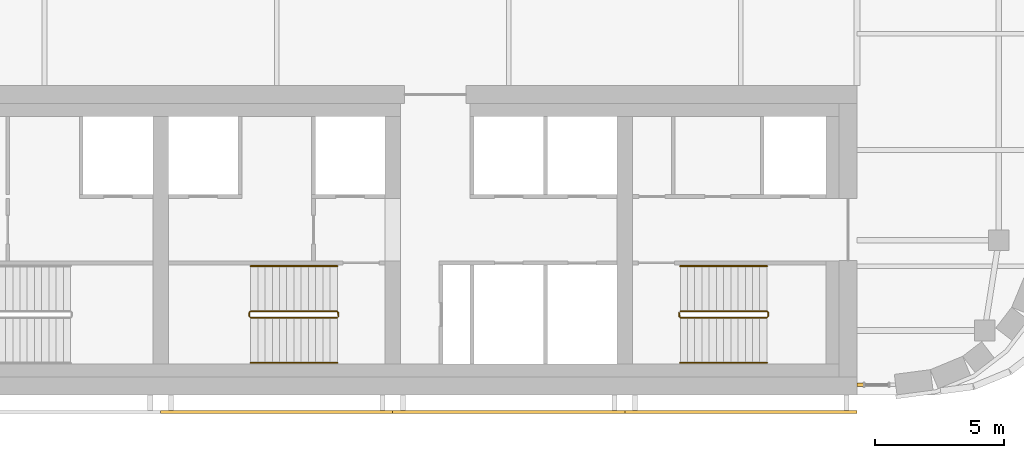
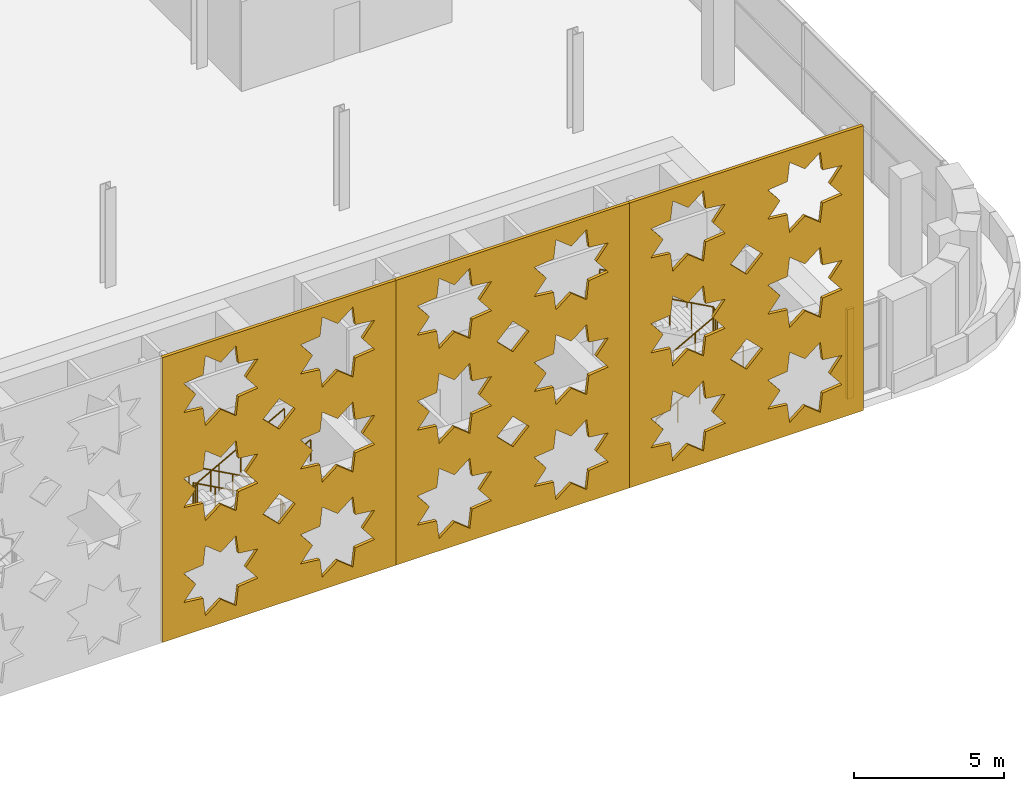
# One storey, part 21 of 25: 6 railings, 4 coverings.
"""IFC4 building model written with IfcOpenShell, lengths in metres."""

from ifc_helpers import new_model, si_unit, direction, frame, origin, origin_2d, place, context, subcontext, project, spatial, polyline, rectangle, circle, outline, extrude, material, layer, layer_set, type_object, element, save


model = new_model("IFC4")

# Units and contexts
model_context = context("Model", 3, precision=1e-05, world=origin(), true_north=direction((0.0, 1.0)))
body_context = subcontext(model_context, "Body", "Model", "MODEL_VIEW")
ifc_project = project(units=[si_unit("LENGTHUNIT", "METRE"), si_unit("AREAUNIT", "SQUARE_METRE"), si_unit("VOLUMEUNIT", "CUBIC_METRE"), si_unit("PLANEANGLEUNIT", "RADIAN"), si_unit("MASSUNIT", "GRAM", prefix="KILO")], contexts=[model_context])

# Site, building, storey
site_placement = place(None, origin())
site = spatial("IfcSite", under=ifc_project, at=site_placement, CompositionType="ELEMENT")
building_placement = place(site_placement, origin())
building = spatial("IfcBuilding", under=site, at=building_placement, Name="Zellij Exchange Tower", CompositionType="ELEMENT")
storey_placement = place(building_placement, frame((0.0, 0.0, 264.5)))
storey = spatial("IfcBuildingStorey", under=building, at=storey_placement, Name="L62", CompositionType="ELEMENT", Elevation=264.5)

# Railings
ifc_material_1 = material(Name="Stainless steel", Category="steel")
railing_type_1 = type_object("IfcRailingType", Name="CORE-RG stair guard", PredefinedType="GUARDRAIL", material=ifc_material_1)
railing_1_placement = place(storey_placement, frame((6.89990234375, -10.800048828125, 0.0)))
element("IfcRailing", 1, at=railing_1_placement, inside=storey, type_object=railing_type_1, Name="ST3 stair guard L62", PredefinedType="GUARDRAIL", context=body_context, shape_type="SweptSolid", body=[
    extrude(circle(Radius=0.02392578125, at=origin_2d()), frame((0.0, 0.0, 1.076171875), z_axis=(0.0, -1.0, 0.0), x_axis=(1.0, 0.0, 0.0)), (0.0, 0.0, 1.0), 0.14990234375),
    extrude(circle(Radius=0.02392578125, at=origin_2d()), frame((0.0, -0.14990234375, 1.076171875), z_axis=(-0.193691321961, 0.777613689637, 0.598164376644), x_axis=(-0.970351222016, -0.241699205484, 0.0)), (0.0, 0.0, 1.0), 0.257080078125),
    extrude(circle(Radius=0.02392578125, at=origin_2d()), frame((-0.0498046875, 0.050048828125, 1.22998046875), z_axis=(-0.876421534553, 0.0, 0.481544695509), x_axis=(0.0, -1.0, 0.0)), (0.0, 0.0, 1.0), 3.833984375),
    extrude(circle(Radius=0.02392578125, at=origin_2d()), frame((-3.409912109375, 0.050048828125, 3.076171875), z_axis=(-0.707106781187, -0.707106781187, 0.0), x_axis=(0.707106781187, -0.707106781187, 0.0)), (0.0, 0.0, 1.0), 0.07080078125),
    extrude(circle(Radius=0.02392578125, at=origin_2d()), frame((-3.4599609375, 0.0, 3.076171875), z_axis=(0.0, -1.0, 0.0), x_axis=(1.0, 0.0, 0.0)), (0.0, 0.0, 1.0), 0.14990234375),
    extrude(circle(Radius=0.02392578125, at=origin_2d()), frame((-3.4599609375, -0.14990234375, 3.076171875), z_axis=(0.295599637079, -0.295599637079, 0.908428152975), x_axis=(0.707106781187, 0.707106781187, 0.0)), (0.0, 0.0, 1.0), 0.16943359375),
    extrude(circle(Radius=0.02392578125, at=origin_2d()), frame((-3.409912109375, -0.199951171875, 3.22998046875), z_axis=(0.876421534553, 0.0, 0.481544695509), x_axis=(0.0, 1.0, 0.0)), (0.0, 0.0, 1.0), 3.833984375),
    extrude(circle(Radius=0.02099609375, at=origin_2d()), origin(), (0.0, 0.0, 1.0), 1.052001953125),
    extrude(circle(Radius=0.02099609375, at=origin_2d()), frame((0.0, -0.14990234375, 0.0)), (0.0, 0.0, 1.0), 1.052001953125),
    extrude(circle(Radius=0.02099609375, at=origin_2d()), frame((-0.0498046875, 0.050048828125, 0.15380859375)), (0.0, 0.0, 1.0), 1.052001953125),
    extrude(circle(Radius=0.02099609375, at=origin_2d()), frame((-0.889892578125, 0.050048828125, 0.615234375)), (0.0, 0.0, 1.0), 1.052001953125),
    extrude(circle(Radius=0.02099609375, at=origin_2d()), frame((-1.72998046875, 0.050048828125, 1.076904296875)), (0.0, 0.0, 1.0), 1.052001953125),
    extrude(circle(Radius=0.02099609375, at=origin_2d()), frame((-2.56982421875, 0.050048828125, 1.53857421875)), (0.0, 0.0, 1.0), 1.052001953125),
    extrude(circle(Radius=0.02099609375, at=origin_2d()), frame((-3.409912109375, 0.050048828125, 2.0)), (0.0, 0.0, 1.0), 1.052001953125),
    extrude(circle(Radius=0.02099609375, at=origin_2d()), frame((-3.4599609375, 0.0, 2.0)), (0.0, 0.0, 1.0), 1.052001953125),
    extrude(circle(Radius=0.02099609375, at=origin_2d()), frame((-3.4599609375, -0.14990234375, 2.0)), (0.0, 0.0, 1.0), 1.052001953125),
    extrude(circle(Radius=0.02099609375, at=origin_2d()), frame((-3.409912109375, -0.199951171875, 2.15380859375)), (0.0, 0.0, 1.0), 1.052001953125),
    extrude(circle(Radius=0.02099609375, at=origin_2d()), frame((-2.56982421875, -0.199951171875, 2.615234375)), (0.0, 0.0, 1.0), 1.052001953125),
    extrude(circle(Radius=0.02099609375, at=origin_2d()), frame((-1.72998046875, -0.199951171875, 3.076904296875)), (0.0, 0.0, 1.0), 1.052001953125),
    extrude(circle(Radius=0.02099609375, at=origin_2d()), frame((-0.889892578125, -0.199951171875, 3.53857421875)), (0.0, 0.0, 1.0), 1.052001953125),
    extrude(circle(Radius=0.02099609375, at=origin_2d()), frame((-0.0498046875, -0.199951171875, 4.0)), (0.0, 0.0, 1.0), 1.052001953125),
])
railing_2_placement = place(storey_placement, frame((20.10009765625, -10.949951171875, 0.0)))
element("IfcRailing", 2, at=railing_2_placement, inside=storey, type_object=railing_type_1, Name="ST4 stair guard L62", PredefinedType="GUARDRAIL", context=body_context, shape_type="SweptSolid", body=[
    extrude(circle(Radius=0.02392578125, at=origin_2d()), frame((0.0, 0.0, 1.076171875), z_axis=(0.0, 1.0, 0.0), x_axis=(-1.0, 0.0, 0.0)), (0.0, 0.0, 1.0), 0.14990234375),
    extrude(circle(Radius=0.02392578125, at=origin_2d()), frame((0.0, 0.14990234375, 1.076171875), z_axis=(0.193691321961, -0.777613689637, 0.598164376644), x_axis=(0.970351222016, 0.241699205484, 0.0)), (0.0, 0.0, 1.0), 0.257080078125),
    extrude(circle(Radius=0.02392578125, at=origin_2d()), frame((0.0498046875, -0.050048828125, 1.22998046875), z_axis=(0.876421534553, 0.0, 0.481544695509), x_axis=(0.0, 1.0, 0.0)), (0.0, 0.0, 1.0), 3.833984375),
    extrude(circle(Radius=0.02392578125, at=origin_2d()), frame((3.409912109375, -0.050048828125, 3.076171875), z_axis=(0.707106781187, 0.707106781187, 0.0), x_axis=(-0.707106781187, 0.707106781187, 0.0)), (0.0, 0.0, 1.0), 0.07080078125),
    extrude(circle(Radius=0.02392578125, at=origin_2d()), frame((3.4599609375, 0.0, 3.076171875), z_axis=(0.0, 1.0, 0.0), x_axis=(-1.0, 0.0, 0.0)), (0.0, 0.0, 1.0), 0.14990234375),
    extrude(circle(Radius=0.02392578125, at=origin_2d()), frame((3.4599609375, 0.14990234375, 3.076171875), z_axis=(-0.295599637079, 0.295599637079, 0.908428152975), x_axis=(-0.707106781187, -0.707106781187, 0.0)), (0.0, 0.0, 1.0), 0.16943359375),
    extrude(circle(Radius=0.02392578125, at=origin_2d()), frame((3.409912109375, 0.199951171875, 3.22998046875), z_axis=(-0.876421534553, 0.0, 0.481544695509), x_axis=(0.0, -1.0, 0.0)), (0.0, 0.0, 1.0), 3.833984375),
    extrude(circle(Radius=0.02099609375, at=origin_2d()), origin(), (0.0, 0.0, 1.0), 1.052001953125),
    extrude(circle(Radius=0.02099609375, at=origin_2d()), frame((0.0, 0.14990234375, 0.0)), (0.0, 0.0, 1.0), 1.052001953125),
    extrude(circle(Radius=0.02099609375, at=origin_2d()), frame((0.0498046875, -0.050048828125, 0.15380859375)), (0.0, 0.0, 1.0), 1.052001953125),
    extrude(circle(Radius=0.02099609375, at=origin_2d()), frame((0.889892578125, -0.050048828125, 0.615234375)), (0.0, 0.0, 1.0), 1.052001953125),
    extrude(circle(Radius=0.02099609375, at=origin_2d()), frame((1.72998046875, -0.050048828125, 1.076904296875)), (0.0, 0.0, 1.0), 1.052001953125),
    extrude(circle(Radius=0.02099609375, at=origin_2d()), frame((2.56982421875, -0.050048828125, 1.53857421875)), (0.0, 0.0, 1.0), 1.052001953125),
    extrude(circle(Radius=0.02099609375, at=origin_2d()), frame((3.409912109375, -0.050048828125, 2.0)), (0.0, 0.0, 1.0), 1.052001953125),
    extrude(circle(Radius=0.02099609375, at=origin_2d()), frame((3.4599609375, 0.0, 2.0)), (0.0, 0.0, 1.0), 1.052001953125),
    extrude(circle(Radius=0.02099609375, at=origin_2d()), frame((3.4599609375, 0.14990234375, 2.0)), (0.0, 0.0, 1.0), 1.052001953125),
    extrude(circle(Radius=0.02099609375, at=origin_2d()), frame((3.409912109375, 0.199951171875, 2.15380859375)), (0.0, 0.0, 1.0), 1.052001953125),
    extrude(circle(Radius=0.02099609375, at=origin_2d()), frame((2.56982421875, 0.199951171875, 2.615234375)), (0.0, 0.0, 1.0), 1.052001953125),
    extrude(circle(Radius=0.02099609375, at=origin_2d()), frame((1.72998046875, 0.199951171875, 3.076904296875)), (0.0, 0.0, 1.0), 1.052001953125),
    extrude(circle(Radius=0.02099609375, at=origin_2d()), frame((0.889892578125, 0.199951171875, 3.53857421875)), (0.0, 0.0, 1.0), 1.052001953125),
    extrude(circle(Radius=0.02099609375, at=origin_2d()), frame((0.0498046875, 0.199951171875, 4.0)), (0.0, 0.0, 1.0), 1.052001953125),
])
railing_type_2 = type_object("IfcRailingType", Name="CORE-RH stair handrail", PredefinedType="HANDRAIL", material=ifc_material_1)
railing_3_placement = place(storey_placement, frame((6.85009765625, -9.0, 0.15380859375)))
element("IfcRailing", 3, at=railing_3_placement, inside=storey, type_object=railing_type_2, Name="ST3 stair handrail L62", PredefinedType="HANDRAIL", context=body_context, shape_type="SweptSolid", body=[
    extrude(circle(Radius=0.02392578125, at=origin_2d()), frame((0.0, 0.0, 0.8759765625), z_axis=(-0.876421534553, 0.0, 0.481544695509), x_axis=(0.0, -1.0, 0.0)), (0.0, 0.0, 1.0), 3.833984375),
    extrude(circle(Radius=0.02099609375, at=origin_2d()), origin(), (0.0, 0.0, 1.0), 0.851806640625),
    extrude(circle(Radius=0.02099609375, at=origin_2d()), frame((-0.840087890625, 0.0, 0.46142578125)), (0.0, 0.0, 1.0), 0.851806640625),
    extrude(circle(Radius=0.02099609375, at=origin_2d()), frame((-1.68017578125, 0.0, 0.923095703125)), (0.0, 0.0, 1.0), 0.851806640625),
    extrude(circle(Radius=0.02099609375, at=origin_2d()), frame((-2.52001953125, 0.0, 1.384765625)), (0.0, 0.0, 1.0), 0.851806640625),
    extrude(circle(Radius=0.02099609375, at=origin_2d()), frame((-3.360107421875, 0.0, 1.84619140625)), (0.0, 0.0, 1.0), 0.851806640625),
])
for number, where, name in (
    (4, (3.489990234375, -12.75, 2.15380859375), "ST3 stair handrail L62"),
    (5, (20.14990234375, -12.75, 0.15380859375), "ST4 stair handrail L62"),
):
    element("IfcRailing", number, at=place(storey_placement, frame(where)), inside=storey, type_object=railing_type_2, Name=name, PredefinedType="HANDRAIL", context=body_context, shape_type="SweptSolid", body=[
        extrude(circle(Radius=0.02392578125, at=origin_2d()), frame((0.0, 0.0, 0.8759765625), z_axis=(0.876421534553, 0.0, 0.481544695509), x_axis=(0.0, 1.0, 0.0)), (0.0, 0.0, 1.0), 3.833984375),
        extrude(circle(Radius=0.02099609375, at=origin_2d()), origin(), (0.0, 0.0, 1.0), 0.851806640625),
        extrude(circle(Radius=0.02099609375, at=origin_2d()), frame((0.840087890625, 0.0, 0.46142578125)), (0.0, 0.0, 1.0), 0.851806640625),
        extrude(circle(Radius=0.02099609375, at=origin_2d()), frame((1.68017578125, 0.0, 0.923095703125)), (0.0, 0.0, 1.0), 0.851806640625),
        extrude(circle(Radius=0.02099609375, at=origin_2d()), frame((2.52001953125, 0.0, 1.384765625)), (0.0, 0.0, 1.0), 0.851806640625),
        extrude(circle(Radius=0.02099609375, at=origin_2d()), frame((3.360107421875, 0.0, 1.84619140625)), (0.0, 0.0, 1.0), 0.851806640625),
    ])
railing_4_placement = place(storey_placement, frame((23.510009765625, -9.0, 2.15380859375)))
element("IfcRailing", 6, at=railing_4_placement, inside=storey, type_object=railing_type_2, Name="ST4 stair handrail L62", PredefinedType="HANDRAIL", context=body_context, shape_type="SweptSolid", body=[
    extrude(circle(Radius=0.02392578125, at=origin_2d()), frame((0.0, 0.0, 0.8759765625), z_axis=(-0.876421534553, 0.0, 0.481544695509), x_axis=(0.0, -1.0, 0.0)), (0.0, 0.0, 1.0), 3.833984375),
    extrude(circle(Radius=0.02099609375, at=origin_2d()), origin(), (0.0, 0.0, 1.0), 0.851806640625),
    extrude(circle(Radius=0.02099609375, at=origin_2d()), frame((-0.840087890625, 0.0, 0.46142578125)), (0.0, 0.0, 1.0), 0.851806640625),
    extrude(circle(Radius=0.02099609375, at=origin_2d()), frame((-1.68017578125, 0.0, 0.923095703125)), (0.0, 0.0, 1.0), 0.851806640625),
    extrude(circle(Radius=0.02099609375, at=origin_2d()), frame((-2.52001953125, 0.0, 1.384765625)), (0.0, 0.0, 1.0), 0.851806640625),
    extrude(circle(Radius=0.02099609375, at=origin_2d()), frame((-3.360107421875, 0.0, 1.84619140625)), (0.0, 0.0, 1.0), 0.851806640625),
])

# Coverings
ifc_material_2 = material(Name="Limestone cladding", Category="masonry")
ifc_layer_1 = layer(ifc_material_2, 0.1201171875)
ifc_layer_set_1 = layer_set([ifc_layer_1], Name="Limestone cladding")
covering_type_1 = type_object("IfcCoveringType", Name="ENV-CV18 Glazing closer 120", PredefinedType="CLADDING", material=ifc_layer_set_1)
covering_1_placement = place(storey_placement, frame((27.125, -13.60009765625, 0.0), z_axis=(0.0, 0.0, 1.0), x_axis=(-1.0, 0.0, 0.0)))
element("IfcCovering", 7, at=covering_1_placement, inside=storey, type_object=covering_type_1, Name="Glazing closer", PredefinedType="CLADDING", context=body_context, shape_type="SweptSolid", body=[
    extrude(rectangle(XDim=0.25, YDim=0.1201171875, at=origin_2d()), origin(), (0.0, 0.0, 1.0), 3.64990234375),
])
ifc_material_3 = material(Name="Limestone screen", Category="masonry")
ifc_layer_2 = layer(ifc_material_3, 0.1201171875)
ifc_layer_set_2 = layer_set([ifc_layer_2], Name="Limestone screen")
covering_type_2 = type_object("IfcCoveringType", Name="ENV-SC5 Pierced stone relief 120", PredefinedType="USERDEFINED", material=ifc_layer_set_2)
covering_2_placement = place(storey_placement, frame((0.0, -14.659912109375, 0.199951171875), z_axis=(0.0, 0.0, 1.0), x_axis=(1.0, 0.0, 0.0)))
element("IfcCovering", 8, at=covering_2_placement, inside=storey, type_object=covering_type_2, Name="Pierced stone relief", ObjectType="SCREEN", PredefinedType="USERDEFINED", context=body_context, shape_type="SweptSolid", body=[
    extrude(outline(polyline([(0.0, 0.0), (9.0, 0.0), (9.0, 11.60009765625), (0.0, 11.60009765625), (0.0, 0.0)]), holes=[polyline([(3.678955078125, 2.525146484375), (2.927978515625, 2.611328125), (2.841796875, 3.3623046875), (2.25, 2.892333984375), (1.658203125, 3.3623046875), (1.572021484375, 2.611328125), (0.821044921875, 2.525146484375), (1.291015625, 1.933349609375), (0.821044921875, 1.34130859375), (1.572021484375, 1.25537109375), (1.658203125, 0.50439453125), (2.25, 0.974365234375), (2.841796875, 0.50439453125), (2.927978515625, 1.25537109375), (3.678955078125, 1.34130859375), (3.208984375, 1.933349609375), (3.678955078125, 2.525146484375)]), polyline([(3.678955078125, 6.391845703125), (2.927978515625, 6.47802734375), (2.841796875, 7.22900390625), (2.25, 6.7587890625), (1.658203125, 7.22900390625), (1.572021484375, 6.47802734375), (0.821044921875, 6.391845703125), (1.291015625, 5.800048828125), (0.821044921875, 5.2080078125), (1.572021484375, 5.121826171875), (1.658203125, 4.37109375), (2.25, 4.841064453125), (2.841796875, 4.37109375), (2.927978515625, 5.121826171875), (3.678955078125, 5.2080078125), (3.208984375, 5.800048828125), (3.678955078125, 6.391845703125)]), polyline([(3.678955078125, 10.258544921875), (2.927978515625, 10.3447265625), (2.841796875, 11.095703125), (2.25, 10.62548828125), (1.658203125, 11.095703125), (1.572021484375, 10.3447265625), (0.821044921875, 10.258544921875), (1.291015625, 9.666748046875), (0.821044921875, 9.07470703125), (1.572021484375, 8.988525390625), (1.658203125, 8.23779296875), (2.25, 8.707763671875), (2.841796875, 8.23779296875), (2.927978515625, 8.988525390625), (3.678955078125, 9.07470703125), (3.208984375, 9.666748046875), (3.678955078125, 10.258544921875)]), polyline([(8.178955078125, 2.525146484375), (7.427978515625, 2.611328125), (7.341796875, 3.3623046875), (6.75, 2.892333984375), (6.158203125, 3.3623046875), (6.072021484375, 2.611328125), (5.321044921875, 2.525146484375), (5.791015625, 1.933349609375), (5.321044921875, 1.34130859375), (6.072021484375, 1.25537109375), (6.158203125, 0.50439453125), (6.75, 0.974365234375), (7.341796875, 0.50439453125), (7.427978515625, 1.25537109375), (8.178955078125, 1.34130859375), (7.708984375, 1.933349609375), (8.178955078125, 2.525146484375)]), polyline([(8.178955078125, 6.391845703125), (7.427978515625, 6.47802734375), (7.341796875, 7.22900390625), (6.75, 6.7587890625), (6.158203125, 7.22900390625), (6.072021484375, 6.47802734375), (5.321044921875, 6.391845703125), (5.791015625, 5.800048828125), (5.321044921875, 5.2080078125), (6.072021484375, 5.121826171875), (6.158203125, 4.37109375), (6.75, 4.841064453125), (7.341796875, 4.37109375), (7.427978515625, 5.121826171875), (8.178955078125, 5.2080078125), (7.708984375, 5.800048828125), (8.178955078125, 6.391845703125)]), polyline([(8.178955078125, 10.258544921875), (7.427978515625, 10.3447265625), (7.341796875, 11.095703125), (6.75, 10.62548828125), (6.158203125, 11.095703125), (6.072021484375, 10.3447265625), (5.321044921875, 10.258544921875), (5.791015625, 9.666748046875), (5.321044921875, 9.07470703125), (6.072021484375, 8.988525390625), (6.158203125, 8.23779296875), (6.75, 8.707763671875), (7.341796875, 8.23779296875), (7.427978515625, 8.988525390625), (8.178955078125, 9.07470703125), (7.708984375, 9.666748046875), (8.178955078125, 10.258544921875)]), polyline([(5.11865234375, 3.86669921875), (4.5, 4.4853515625), (3.88134765625, 3.86669921875), (4.5, 3.248046875), (5.11865234375, 3.86669921875)]), polyline([(5.11865234375, 7.7333984375), (4.5, 8.35205078125), (3.88134765625, 7.7333984375), (4.5, 7.11474609375), (5.11865234375, 7.7333984375)])]), frame((0.0, 0.06005859375, 0.0), z_axis=(0.0, -1.0, 0.0), x_axis=(1.0, 0.0, 0.0)), (0.0, 0.0, 1.0), 0.1201171875),
])
covering_3_placement = place(storey_placement, frame((9.0, -14.659912109375, 0.199951171875), z_axis=(0.0, 0.0, 1.0), x_axis=(1.0, 0.0, 0.0)))
element("IfcCovering", 9, at=covering_3_placement, inside=storey, type_object=covering_type_2, Name="Pierced stone relief", ObjectType="SCREEN", PredefinedType="USERDEFINED", context=body_context, shape_type="SweptSolid", body=[
    extrude(outline(polyline([(0.0, 0.0), (9.0, 0.0), (9.0, 11.60009765625), (0.0, 11.60009765625), (0.0, 0.0)]), holes=[polyline([(3.678955078125, 2.525146484375), (2.927978515625, 2.611328125), (2.841796875, 3.3623046875), (2.25, 2.892333984375), (1.658203125, 3.3623046875), (1.572021484375, 2.611328125), (0.821044921875, 2.525146484375), (1.291015625, 1.933349609375), (0.821044921875, 1.34130859375), (1.572021484375, 1.25537109375), (1.658203125, 0.50439453125), (2.25, 0.974365234375), (2.841796875, 0.50439453125), (2.927978515625, 1.25537109375), (3.678955078125, 1.34130859375), (3.208984375, 1.933349609375), (3.678955078125, 2.525146484375)]), polyline([(3.678955078125, 6.391845703125), (2.927978515625, 6.47802734375), (2.841796875, 7.22900390625), (2.25, 6.7587890625), (1.658203125, 7.22900390625), (1.572021484375, 6.47802734375), (0.821044921875, 6.391845703125), (1.291015625, 5.800048828125), (0.821044921875, 5.2080078125), (1.572021484375, 5.121826171875), (1.658203125, 4.37109375), (2.25, 4.841064453125), (2.841796875, 4.37109375), (2.927978515625, 5.121826171875), (3.678955078125, 5.2080078125), (3.208984375, 5.800048828125), (3.678955078125, 6.391845703125)]), polyline([(3.678955078125, 10.258544921875), (2.927978515625, 10.3447265625), (2.841796875, 11.095703125), (2.25, 10.62548828125), (1.658203125, 11.095703125), (1.572021484375, 10.3447265625), (0.821044921875, 10.258544921875), (1.291015625, 9.666748046875), (0.821044921875, 9.07470703125), (1.572021484375, 8.988525390625), (1.658203125, 8.23779296875), (2.25, 8.707763671875), (2.841796875, 8.23779296875), (2.927978515625, 8.988525390625), (3.678955078125, 9.07470703125), (3.208984375, 9.666748046875), (3.678955078125, 10.258544921875)]), polyline([(8.178955078125, 2.525146484375), (7.427978515625, 2.611328125), (7.341796875, 3.3623046875), (6.75, 2.892333984375), (6.158203125, 3.3623046875), (6.072021484375, 2.611328125), (5.321044921875, 2.525146484375), (5.791015625, 1.933349609375), (5.321044921875, 1.34130859375), (6.072021484375, 1.25537109375), (6.158203125, 0.50439453125), (6.75, 0.974365234375), (7.341796875, 0.50439453125), (7.427978515625, 1.25537109375), (8.178955078125, 1.34130859375), (7.708984375, 1.933349609375), (8.178955078125, 2.525146484375)]), polyline([(8.178955078125, 6.391845703125), (7.427978515625, 6.47802734375), (7.341796875, 7.22900390625), (6.75, 6.7587890625), (6.158203125, 7.22900390625), (6.072021484375, 6.47802734375), (5.321044921875, 6.391845703125), (5.791015625, 5.800048828125), (5.321044921875, 5.2080078125), (6.072021484375, 5.121826171875), (6.158203125, 4.37109375), (6.75, 4.841064453125), (7.341796875, 4.37109375), (7.427978515625, 5.121826171875), (8.178955078125, 5.2080078125), (7.708984375, 5.800048828125), (8.178955078125, 6.391845703125)]), polyline([(8.178955078125, 10.258544921875), (7.427978515625, 10.3447265625), (7.341796875, 11.095703125), (6.75, 10.62548828125), (6.158203125, 11.095703125), (6.072021484375, 10.3447265625), (5.321044921875, 10.258544921875), (5.791015625, 9.666748046875), (5.321044921875, 9.07470703125), (6.072021484375, 8.988525390625), (6.158203125, 8.23779296875), (6.75, 8.707763671875), (7.341796875, 8.23779296875), (7.427978515625, 8.988525390625), (8.178955078125, 9.07470703125), (7.708984375, 9.666748046875), (8.178955078125, 10.258544921875)]), polyline([(5.11865234375, 3.86669921875), (4.5, 4.4853515625), (3.88134765625, 3.86669921875), (4.5, 3.248046875), (5.11865234375, 3.86669921875)]), polyline([(5.11865234375, 7.7333984375), (4.5, 8.35205078125), (3.88134765625, 7.7333984375), (4.5, 7.11474609375), (5.11865234375, 7.7333984375)])]), frame((0.0, 0.06005859375, 0.0), z_axis=(0.0, -1.0, 0.0), x_axis=(1.0, 0.0, 0.0)), (0.0, 0.0, 1.0), 0.1201171875),
])
covering_4_placement = place(storey_placement, frame((18.0, -14.659912109375, 0.199951171875), z_axis=(0.0, 0.0, 1.0), x_axis=(1.0, 0.0, 0.0)))
element("IfcCovering", 10, at=covering_4_placement, inside=storey, type_object=covering_type_2, Name="Pierced stone relief", ObjectType="SCREEN", PredefinedType="USERDEFINED", context=body_context, shape_type="SweptSolid", body=[
    extrude(outline(polyline([(0.0, 0.0), (9.0, 0.0), (9.0, 11.60009765625), (0.0, 11.60009765625), (0.0, 0.0)]), holes=[polyline([(3.678955078125, 2.525146484375), (2.927978515625, 2.611328125), (2.841796875, 3.3623046875), (2.25, 2.892333984375), (1.658203125, 3.3623046875), (1.572021484375, 2.611328125), (0.821044921875, 2.525146484375), (1.291015625, 1.933349609375), (0.821044921875, 1.34130859375), (1.572021484375, 1.25537109375), (1.658203125, 0.50439453125), (2.25, 0.974365234375), (2.841796875, 0.50439453125), (2.927978515625, 1.25537109375), (3.678955078125, 1.34130859375), (3.208984375, 1.933349609375), (3.678955078125, 2.525146484375)]), polyline([(3.678955078125, 6.391845703125), (2.927978515625, 6.47802734375), (2.841796875, 7.22900390625), (2.25, 6.7587890625), (1.658203125, 7.22900390625), (1.572021484375, 6.47802734375), (0.821044921875, 6.391845703125), (1.291015625, 5.800048828125), (0.821044921875, 5.2080078125), (1.572021484375, 5.121826171875), (1.658203125, 4.37109375), (2.25, 4.841064453125), (2.841796875, 4.37109375), (2.927978515625, 5.121826171875), (3.678955078125, 5.2080078125), (3.208984375, 5.800048828125), (3.678955078125, 6.391845703125)]), polyline([(3.678955078125, 10.258544921875), (2.927978515625, 10.3447265625), (2.841796875, 11.095703125), (2.25, 10.62548828125), (1.658203125, 11.095703125), (1.572021484375, 10.3447265625), (0.821044921875, 10.258544921875), (1.291015625, 9.666748046875), (0.821044921875, 9.07470703125), (1.572021484375, 8.988525390625), (1.658203125, 8.23779296875), (2.25, 8.707763671875), (2.841796875, 8.23779296875), (2.927978515625, 8.988525390625), (3.678955078125, 9.07470703125), (3.208984375, 9.666748046875), (3.678955078125, 10.258544921875)]), polyline([(8.178955078125, 2.525146484375), (7.427978515625, 2.611328125), (7.341796875, 3.3623046875), (6.75, 2.892333984375), (6.158203125, 3.3623046875), (6.072021484375, 2.611328125), (5.321044921875, 2.525146484375), (5.791015625, 1.933349609375), (5.321044921875, 1.34130859375), (6.072021484375, 1.25537109375), (6.158203125, 0.50439453125), (6.75, 0.974365234375), (7.341796875, 0.50439453125), (7.427978515625, 1.25537109375), (8.178955078125, 1.34130859375), (7.708984375, 1.933349609375), (8.178955078125, 2.525146484375)]), polyline([(8.178955078125, 6.391845703125), (7.427978515625, 6.47802734375), (7.341796875, 7.22900390625), (6.75, 6.7587890625), (6.158203125, 7.22900390625), (6.072021484375, 6.47802734375), (5.321044921875, 6.391845703125), (5.791015625, 5.800048828125), (5.321044921875, 5.2080078125), (6.072021484375, 5.121826171875), (6.158203125, 4.37109375), (6.75, 4.841064453125), (7.341796875, 4.37109375), (7.427978515625, 5.121826171875), (8.178955078125, 5.2080078125), (7.708984375, 5.800048828125), (8.178955078125, 6.391845703125)]), polyline([(8.178955078125, 10.258544921875), (7.427978515625, 10.3447265625), (7.341796875, 11.095703125), (6.75, 10.62548828125), (6.158203125, 11.095703125), (6.072021484375, 10.3447265625), (5.321044921875, 10.258544921875), (5.791015625, 9.666748046875), (5.321044921875, 9.07470703125), (6.072021484375, 8.988525390625), (6.158203125, 8.23779296875), (6.75, 8.707763671875), (7.341796875, 8.23779296875), (7.427978515625, 8.988525390625), (8.178955078125, 9.07470703125), (7.708984375, 9.666748046875), (8.178955078125, 10.258544921875)]), polyline([(5.11865234375, 3.86669921875), (4.5, 4.4853515625), (3.88134765625, 3.86669921875), (4.5, 3.248046875), (5.11865234375, 3.86669921875)]), polyline([(5.11865234375, 7.7333984375), (4.5, 8.35205078125), (3.88134765625, 7.7333984375), (4.5, 7.11474609375), (5.11865234375, 7.7333984375)])]), frame((0.0, 0.06005859375, 0.0), z_axis=(0.0, -1.0, 0.0), x_axis=(1.0, 0.0, 0.0)), (0.0, 0.0, 1.0), 0.1201171875),
])

save(model, "model.ifc")
